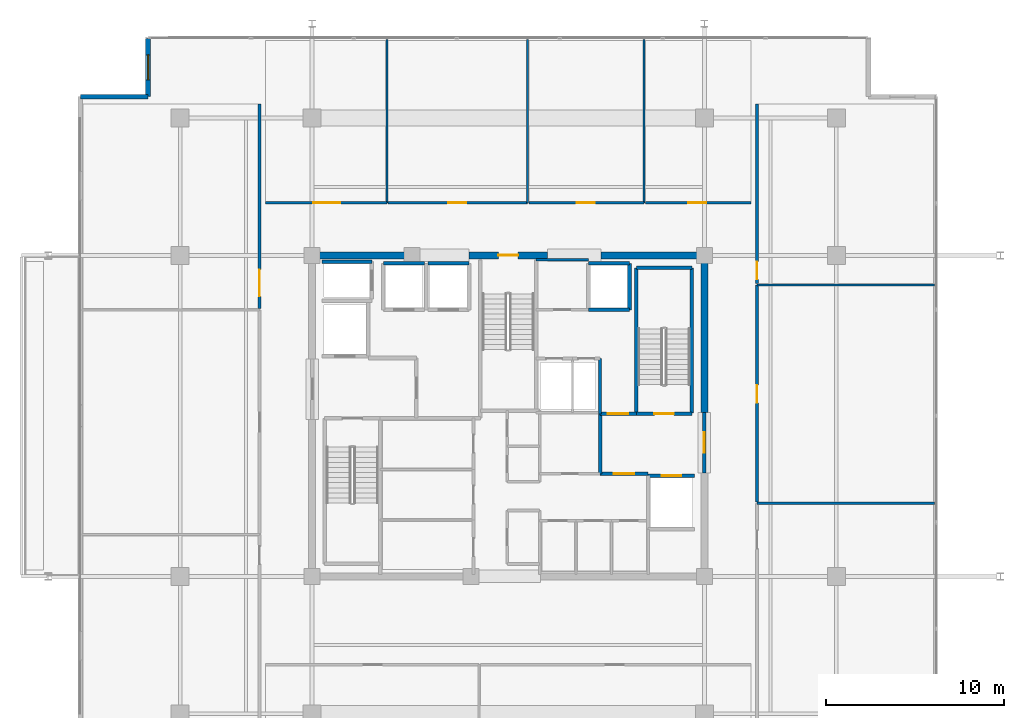
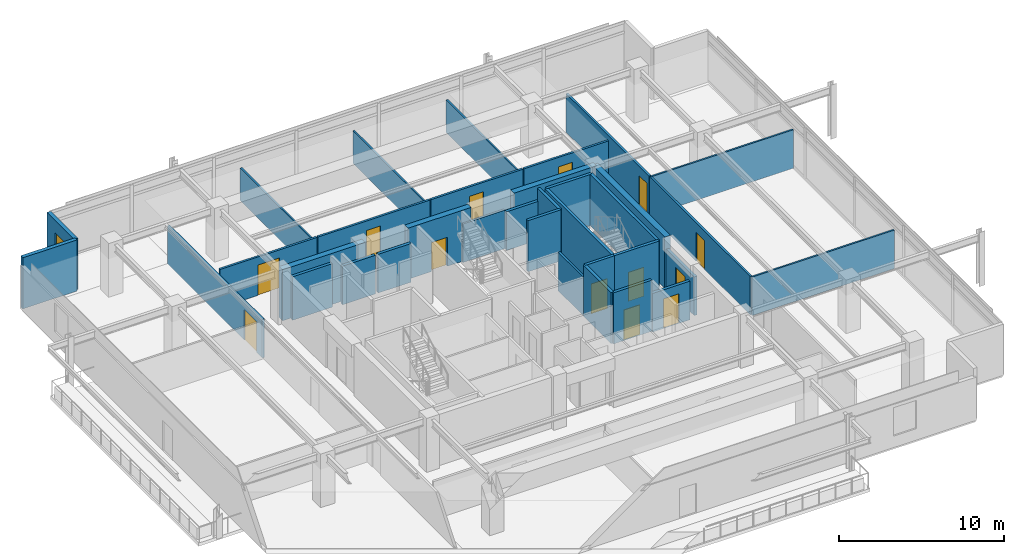
# One storey, part 15 of 20: 35 walls, 13 doors, 1 window, 14 openings.
"""IFC4 building model written with IfcOpenShell, lengths in metres."""

from ifc_helpers import new_model, si_unit, direction, frame, frame_2d, origin, place, context, subcontext, project, spatial, rectangle, extrude, material, layer, layer_set, type_object, element, fill, save


model = new_model("IFC4")

# Units and contexts
model_context = context("Model", 3, precision=1e-05, world=origin(), true_north=direction((0.0, 1.0)))
body_context = subcontext(model_context, "Body", "Model", "MODEL_VIEW")
ifc_project = project(units=[si_unit("LENGTHUNIT", "METRE"), si_unit("AREAUNIT", "SQUARE_METRE"), si_unit("VOLUMEUNIT", "CUBIC_METRE"), si_unit("PLANEANGLEUNIT", "RADIAN"), si_unit("MASSUNIT", "GRAM", prefix="KILO")], contexts=[model_context])

# Site, building, storey
site_placement = place(None, origin())
site = spatial("IfcSite", under=ifc_project, at=site_placement, CompositionType="ELEMENT")
building_placement = place(site_placement, origin())
building = spatial("IfcBuilding", under=site, at=building_placement, Name="Kovane Verandah Tower", CompositionType="ELEMENT")
storey_placement = place(building_placement, frame((0.0, 0.0, 306.800048828125)))
storey = spatial("IfcBuildingStorey", under=building, at=storey_placement, Name="L71", CompositionType="ELEMENT", Elevation=306.800048828125)

# Walls
ifc_material_1 = material(Name="Fire-Rated Gypsum Stud Partition", Category="gypsum")
ifc_layer_1 = layer(ifc_material_1, 0.14990234375)
ifc_layer_set_1 = layer_set([ifc_layer_1], Name="Fire-Rated Gypsum Stud Partition")
wall_type_1 = type_object("IfcWallType", Name="WL-COR-150", PredefinedType="PARTITIONING", material=ifc_layer_set_1)
wall_1_placement = place(storey_placement, frame((45.14990234375, 27.6201171875, 0.0), z_axis=(0.0, 0.0, 1.0), x_axis=(0.0, 1.0, 0.0)))
element("IfcWall", 1, at=wall_1_placement, inside=storey, type_object=wall_type_1, Name="L71 East Core Service Riser East Wall", PredefinedType="PARTITIONING", context=body_context, shape_type="SweptSolid", body=[
    extrude(rectangle(XDim=3.099853515625, YDim=0.14990234375, at=frame_2d((1.5498046875, 0.0))), origin(), (0.0, 0.0, 1.0), 2.849853515625),
])
wall_2_placement = place(storey_placement, frame((41.56005859375, 36.25, 0.0), z_axis=(0.0, 0.0, 1.0), x_axis=(1.0, 0.0, 0.0)))
element("IfcWall", 2, at=wall_2_placement, inside=storey, type_object=wall_type_1, Name="L71 Sky Telecom Riser North Wall", PredefinedType="PARTITIONING", context=body_context, shape_type="SweptSolid", body=[
    extrude(rectangle(XDim=2.93994140625, YDim=0.14990234375, at=frame_2d((1.469970703125, 0.0))), origin(), (0.0, 0.0, 1.0), 2.849853515625),
])

# Wall, opening, door
wall_3_placement = place(storey_placement, frame((26.39990234375, 39.449951171875, 0.0), z_axis=(0.0, 0.0, 1.0), x_axis=(1.0, 0.0, 0.0)))
wall_3 = element("IfcWall", 3, at=wall_3_placement, inside=storey, type_object=wall_type_1, Name="L71 Client Boardroom N1 Corridor Partition", PredefinedType="PARTITIONING", context=body_context, shape_type="SweptSolid", body=[
    extrude(rectangle(XDim=6.800048828125, YDim=0.14990234375, at=frame_2d((3.39990234375, 0.0))), origin(), (0.0, 0.0, 1.0), 2.849853515625),
])
opening_1_placement = place(wall_3_placement, frame((2.6650390625, 0.0, 0.0)))
opening_1 = element("IfcOpeningElement", 4, at=opening_1_placement, cuts=wall_3, Name="Opening DR-L71-024", PredefinedType="OPENING", context=body_context, shape_type="SweptSolid", body=[
    extrude(rectangle(XDim=1.5, YDim=2.25, at=frame_2d((0.75, 1.125))), frame((0.0, 0.074951171875, 0.0), z_axis=(0.0, -1.0, 0.0), x_axis=(1.0, 0.0, 0.0)), (0.0, 0.0, 1.0), 0.14990234375),
])
ifc_material_2 = material(Name="Glazed Timber Fire-Rated Double Door", Category="wood")
door_type_1 = type_object("IfcDoorType", Name="DR-CONF-1500", OperationType="DOUBLE_DOOR_SINGLE_SWING", PredefinedType="DOOR", material=ifc_material_2)
door_1_placement = place(opening_1_placement, origin())
door_1 = element("IfcDoor", 5, at=door_1_placement, inside=storey, type_object=door_type_1, Name="L71 Client Boardroom N1 Entrance Door", OperationType="DOUBLE_DOOR_SINGLE_SWING", OverallHeight=2.25, OverallWidth=1.5, PredefinedType="DOOR", context=body_context, shape_type="SweptSolid", body=[
    extrude(rectangle(XDim=1.5, YDim=2.25, at=frame_2d((0.75, 1.125))), frame((0.0, 0.02490234375, 0.0), z_axis=(0.0, -1.0, 0.0), x_axis=(1.0, 0.0, 0.0)), (0.0, 0.0, 1.0), 0.050048828125),
])
fill(opening_1, door_1)

wall_4_placement = place(storey_placement, frame((33.27001953125, 39.449951171875, 0.0), z_axis=(0.0, 0.0, 1.0), x_axis=(1.0, 0.0, 0.0)))
wall_4 = element("IfcWall", 6, at=wall_4_placement, inside=storey, type_object=wall_type_1, Name="L71 Meeting Room N2 Corridor Partition", PredefinedType="PARTITIONING", context=body_context, shape_type="SweptSolid", body=[
    extrude(rectangle(XDim=7.81787109375, YDim=0.14990234375, at=frame_2d((3.908935546875, 0.0))), origin(), (0.0, 0.0, 1.0), 2.849853515625),
])
opening_2_placement = place(wall_4_placement, frame((3.3740234375, 0.0, 0.0)))
opening_2 = element("IfcOpeningElement", 7, at=opening_2_placement, cuts=wall_4, Name="Opening DR-L71-025", PredefinedType="OPENING", context=body_context, shape_type="SweptSolid", body=[
    extrude(rectangle(XDim=1.0, YDim=2.14990234375, at=frame_2d((0.5, 1.074951171875))), frame((0.0, 0.074951171875, 0.0), z_axis=(0.0, -1.0, 0.0), x_axis=(1.0, 0.0, 0.0)), (0.0, 0.0, 1.0), 0.14990234375),
])
ifc_material_3 = material(Name="FSC Spotted-Gum Timber Fire-Rated Office Door", Category="wood")
door_type_2 = type_object("IfcDoorType", Name="DR-OFF-1000", OperationType="SINGLE_SWING_LEFT", PredefinedType="DOOR", material=ifc_material_3)
door_2_placement = place(opening_2_placement, origin())
door_2 = element("IfcDoor", 8, at=door_2_placement, inside=storey, type_object=door_type_2, Name="L71 Meeting Room N2 Entrance Door", OperationType="SINGLE_SWING_RIGHT", OverallHeight=2.14990234375, OverallWidth=1.0, PredefinedType="DOOR", context=body_context, shape_type="SweptSolid", body=[
    extrude(rectangle(XDim=1.0, YDim=2.14990234375, at=frame_2d((0.5, 1.074951171875))), frame((0.0, 0.02490234375, 0.0), z_axis=(0.0, -1.0, 0.0), x_axis=(1.0, 0.0, 0.0)), (0.0, 0.0, 1.0), 0.050048828125),
])
fill(opening_2, door_2)

wall_5_placement = place(storey_placement, frame((41.157958984375, 39.449951171875, 0.0), z_axis=(0.0, 0.0, 1.0), x_axis=(1.0, 0.0, 0.0)))
wall_5 = element("IfcWall", 9, at=wall_5_placement, inside=storey, type_object=wall_type_1, Name="L71 Focus Studio N3 Corridor Partition", PredefinedType="PARTITIONING", context=body_context, shape_type="SweptSolid", body=[
    extrude(rectangle(XDim=6.4580078125, YDim=0.14990234375, at=frame_2d((3.22900390625, 0.0))), origin(), (0.0, 0.0, 1.0), 2.849853515625),
])
opening_3_placement = place(wall_5_placement, frame((2.694091796875, 0.0, 0.0)))
opening_3 = element("IfcOpeningElement", 10, at=opening_3_placement, cuts=wall_5, Name="Opening DR-L71-026", PredefinedType="OPENING", context=body_context, shape_type="SweptSolid", body=[
    extrude(rectangle(XDim=1.0, YDim=2.14990234375, at=frame_2d((0.5, 1.074951171875))), frame((0.0, 0.074951171875, 0.0), z_axis=(0.0, -1.0, 0.0), x_axis=(1.0, 0.0, 0.0)), (0.0, 0.0, 1.0), 0.14990234375),
])
door_3_placement = place(opening_3_placement, origin())
door_3 = element("IfcDoor", 11, at=door_3_placement, inside=storey, type_object=door_type_2, Name="L71 Focus Studio N3 Entrance Door", OperationType="SINGLE_SWING_LEFT", OverallHeight=2.14990234375, OverallWidth=1.0, PredefinedType="DOOR", context=body_context, shape_type="SweptSolid", body=[
    extrude(rectangle(XDim=1.0, YDim=2.14990234375, at=frame_2d((0.5, 1.074951171875))), frame((0.0, 0.02490234375, 0.0), z_axis=(0.0, -1.0, 0.0), x_axis=(1.0, 0.0, 0.0)), (0.0, 0.0, 1.0), 0.050048828125),
])
fill(opening_3, door_3)

wall_6_placement = place(storey_placement, frame((47.68603515625, 39.449951171875, 0.0), z_axis=(0.0, 0.0, 1.0), x_axis=(1.0, 0.0, 0.0)))
wall_6 = element("IfcWall", 12, at=wall_6_placement, inside=storey, type_object=wall_type_1, Name="L71 Breakout Pantry N4 Corridor Partition", PredefinedType="PARTITIONING", context=body_context, shape_type="SweptSolid", body=[
    extrude(rectangle(XDim=5.9140625, YDim=0.14990234375, at=frame_2d((2.95703125, 0.0))), origin(), (0.0, 0.0, 1.0), 2.849853515625),
])
opening_4_placement = place(wall_6_placement, frame((2.406982421875, 0.0, 0.0)))
opening_4 = element("IfcOpeningElement", 13, at=opening_4_placement, cuts=wall_6, Name="Opening DR-L71-027", PredefinedType="OPENING", context=body_context, shape_type="SweptSolid", body=[
    extrude(rectangle(XDim=1.0, YDim=2.14990234375, at=frame_2d((0.5, 1.074951171875))), frame((0.0, 0.074951171875, 0.0), z_axis=(0.0, -1.0, 0.0), x_axis=(1.0, 0.0, 0.0)), (0.0, 0.0, 1.0), 0.14990234375),
])
door_4_placement = place(opening_4_placement, origin())
door_4 = element("IfcDoor", 14, at=door_4_placement, inside=storey, type_object=door_type_2, Name="L71 Breakout Pantry N4 Entrance Door", OperationType="SINGLE_SWING_RIGHT", OverallHeight=2.14990234375, OverallWidth=1.0, PredefinedType="DOOR", context=body_context, shape_type="SweptSolid", body=[
    extrude(rectangle(XDim=1.0, YDim=2.14990234375, at=frame_2d((0.5, 1.074951171875))), frame((0.0, 0.02490234375, 0.0), z_axis=(0.0, -1.0, 0.0), x_axis=(1.0, 0.0, 0.0)), (0.0, 0.0, 1.0), 0.050048828125),
])
fill(opening_4, door_4)

wall_7_placement = place(storey_placement, frame((26.050048828125, 33.52001953125, 0.0), z_axis=(0.0, 0.0, 1.0), x_axis=(0.0, 1.0, 0.0)))
wall_7 = element("IfcWall", 15, at=wall_7_placement, inside=storey, type_object=wall_type_1, Name="L71 Client Boardroom W3 Corridor Partition", PredefinedType="PARTITIONING", context=body_context, shape_type="SweptSolid", body=[
    extrude(rectangle(XDim=11.47998046875, YDim=0.14990234375, at=frame_2d((5.739990234375, 0.0))), origin(), (0.0, 0.0, 1.0), 2.849853515625),
])
opening_5_placement = place(wall_7_placement, frame((0.68994140625, 0.0, 0.0)))
opening_5 = element("IfcOpeningElement", 16, at=opening_5_placement, cuts=wall_7, Name="Opening DR-L71-035", PredefinedType="OPENING", context=body_context, shape_type="SweptSolid", body=[
    extrude(rectangle(XDim=1.5, YDim=2.25, at=frame_2d((0.75, 1.125))), frame((0.0, 0.074951171875, 0.0), z_axis=(0.0, -1.0, 0.0), x_axis=(1.0, 0.0, 0.0)), (0.0, 0.0, 1.0), 0.14990234375),
])
door_5_placement = place(opening_5_placement, origin())
door_5 = element("IfcDoor", 17, at=door_5_placement, inside=storey, type_object=door_type_1, Name="L71 Client Boardroom W3 Entrance Door", OperationType="DOUBLE_DOOR_SINGLE_SWING", OverallHeight=2.25, OverallWidth=1.5, PredefinedType="DOOR", context=body_context, shape_type="SweptSolid", body=[
    extrude(rectangle(XDim=1.5, YDim=2.25, at=frame_2d((0.75, 1.125))), frame((0.0, 0.02490234375, 0.0), z_axis=(0.0, -1.0, 0.0), x_axis=(1.0, 0.0, 0.0)), (0.0, 0.0, 1.0), 0.050048828125),
])
fill(opening_5, door_5)

wall_8_placement = place(storey_placement, frame((53.949951171875, 22.669921875, 0.0), z_axis=(0.0, 0.0, 1.0), x_axis=(0.0, 1.0, 0.0)))
wall_8 = element("IfcWall", 18, at=wall_8_placement, inside=storey, type_object=wall_type_1, Name="L71 Focus Studio E2 Corridor Partition", PredefinedType="PARTITIONING", context=body_context, shape_type="SweptSolid", body=[
    extrude(rectangle(XDim=12.18017578125, YDim=0.14990234375, at=frame_2d((6.090087890625, 0.0))), origin(), (0.0, 0.0, 1.0), 2.849853515625),
])
opening_6_placement = place(wall_8_placement, frame((5.554931640625, 0.0, 0.0)))
opening_6 = element("IfcOpeningElement", 19, at=opening_6_placement, cuts=wall_8, Name="Opening DR-L71-012", PredefinedType="OPENING", context=body_context, shape_type="SweptSolid", body=[
    extrude(rectangle(XDim=1.0, YDim=2.14990234375, at=frame_2d((0.5, 1.074951171875))), frame((0.0, 0.074951171875, 0.0), z_axis=(0.0, -1.0, 0.0), x_axis=(1.0, 0.0, 0.0)), (0.0, 0.0, 1.0), 0.14990234375),
])
door_6_placement = place(opening_6_placement, origin())
door_6 = element("IfcDoor", 20, at=door_6_placement, inside=storey, type_object=door_type_2, Name="L71 Focus Studio E2 Entrance Door", OperationType="SINGLE_SWING_LEFT", OverallHeight=2.14990234375, OverallWidth=1.0, PredefinedType="DOOR", context=body_context, shape_type="SweptSolid", body=[
    extrude(rectangle(XDim=1.0, YDim=2.14990234375, at=frame_2d((0.5, 1.074951171875))), frame((0.0, 0.02490234375, 0.0), z_axis=(0.0, -1.0, 0.0), x_axis=(1.0, 0.0, 0.0)), (0.0, 0.0, 1.0), 0.050048828125),
])
fill(opening_6, door_6)

wall_9_placement = place(storey_placement, frame((53.949951171875, 34.919921875, 0.0), z_axis=(0.0, 0.0, 1.0), x_axis=(0.0, 1.0, 0.0)))
wall_9 = element("IfcWall", 21, at=wall_9_placement, inside=storey, type_object=wall_type_1, Name="L71 Breakout Pantry E3 Corridor Partition", PredefinedType="PARTITIONING", context=body_context, shape_type="SweptSolid", body=[
    extrude(rectangle(XDim=10.080078125, YDim=0.14990234375, at=frame_2d((5.0400390625, 0.0))), origin(), (0.0, 0.0, 1.0), 2.849853515625),
])
opening_7_placement = place(wall_9_placement, frame((0.239990234375, 0.0, 0.0)))
opening_7 = element("IfcOpeningElement", 22, at=opening_7_placement, cuts=wall_9, Name="Opening DR-L71-013", PredefinedType="OPENING", context=body_context, shape_type="SweptSolid", body=[
    extrude(rectangle(XDim=1.0, YDim=2.14990234375, at=frame_2d((0.5, 1.074951171875))), frame((0.0, 0.074951171875, 0.0), z_axis=(0.0, -1.0, 0.0), x_axis=(1.0, 0.0, 0.0)), (0.0, 0.0, 1.0), 0.14990234375),
])
door_7_placement = place(opening_7_placement, origin())
door_7 = element("IfcDoor", 23, at=door_7_placement, inside=storey, type_object=door_type_2, Name="L71 Breakout Pantry E3 Entrance Door", OperationType="SINGLE_SWING_RIGHT", OverallHeight=2.14990234375, OverallWidth=1.0, PredefinedType="DOOR", context=body_context, shape_type="SweptSolid", body=[
    extrude(rectangle(XDim=1.0, YDim=2.14990234375, at=frame_2d((0.5, 1.074951171875))), frame((0.0, 0.02490234375, 0.0), z_axis=(0.0, -1.0, 0.0), x_axis=(1.0, 0.0, 0.0)), (0.0, 0.0, 1.0), 0.050048828125),
])
fill(opening_7, door_7)

# Wall
ifc_material_4 = material(Name="Concrete C60/75", Category="concrete")
ifc_layer_2 = layer(ifc_material_4, 0.39990234375)
ifc_layer_set_2 = layer_set([ifc_layer_2], Name="Concrete C60/75")
wall_type_2 = type_object("IfcWallType", Name="WL-CORE-400", PredefinedType="SHEAR", material=ifc_layer_set_2)
wall_10_placement = place(storey_placement, frame((29.0, 36.5, 0.0), z_axis=(0.0, 0.0, 1.0), x_axis=(1.0, 0.0, 0.0)))
element("IfcWall", 24, at=wall_10_placement, inside=storey, type_object=wall_type_2, Name="L71 Core Shear Wall CN-1", PredefinedType="SHEAR", context=body_context, shape_type="SweptSolid", body=[
    extrude(rectangle(XDim=5.800048828125, YDim=0.39990234375, at=frame_2d((2.89990234375, 0.0))), origin(), (0.0, 0.0, 1.0), 3.784912109375),
])

# Wall, opening, door
wall_11_placement = place(storey_placement, frame((37.800048828125, 36.5, 0.0), z_axis=(0.0, 0.0, 1.0), x_axis=(1.0, 0.0, 0.0)))
wall_11 = element("IfcWall", 25, at=wall_11_placement, inside=storey, type_object=wall_type_2, Name="L71 Core Shear Wall CN-2", PredefinedType="SHEAR", context=body_context, shape_type="SweptSolid", body=[
    extrude(rectangle(XDim=4.39990234375, YDim=0.39990234375, at=frame_2d((2.199951171875, 0.0))), origin(), (0.0, 0.0, 1.0), 3.784912109375),
])
opening_8_placement = place(wall_11_placement, frame((1.64990234375, 0.0, 0.0)))
opening_8 = element("IfcOpeningElement", 26, at=opening_8_placement, cuts=wall_11, Name="Opening DR-L71-010", PredefinedType="OPENING", context=body_context, shape_type="SweptSolid", body=[
    extrude(rectangle(XDim=1.10009765625, YDim=2.14990234375, at=frame_2d((0.550048828125, 1.074951171875))), frame((0.0, 0.199951171875, 0.0), z_axis=(0.0, -1.0, 0.0), x_axis=(1.0, 0.0, 0.0)), (0.0, 0.0, 1.0), 0.39990234375),
])
ifc_material_5 = material(Name="Fire-Rated Steel Exit Door", Category="steel")
door_type_3 = type_object("IfcDoorType", Name="DR-STAIR-1100", OperationType="SINGLE_SWING_LEFT", PredefinedType="DOOR", material=ifc_material_5)
door_8_placement = place(opening_8_placement, origin())
door_8 = element("IfcDoor", 27, at=door_8_placement, inside=storey, type_object=door_type_3, Name="L71 ST-03 Fire Exit Stair Door", OperationType="SINGLE_SWING_LEFT", OverallHeight=2.14990234375, OverallWidth=1.10009765625, PredefinedType="DOOR", context=body_context, shape_type="SweptSolid", body=[
    extrude(rectangle(XDim=1.10009765625, YDim=2.14990234375, at=frame_2d((0.550048828125, 1.074951171875))), frame((0.0, 0.02490234375, 0.0), z_axis=(0.0, -1.0, 0.0), x_axis=(1.0, 0.0, 0.0)), (0.0, 0.0, 1.0), 0.050048828125),
])
fill(opening_8, door_8)

# Walls
wall_12_placement = place(storey_placement, frame((45.199951171875, 36.5, 0.0), z_axis=(0.0, 0.0, 1.0), x_axis=(1.0, 0.0, 0.0)))
element("IfcWall", 28, at=wall_12_placement, inside=storey, type_object=wall_type_2, Name="L71 Core Shear Wall CN-3", PredefinedType="SHEAR", context=body_context, shape_type="SweptSolid", body=[
    extrude(rectangle(XDim=5.800048828125, YDim=0.39990234375, at=frame_2d((2.89990234375, 0.0))), origin(), (0.0, 0.0, 1.0), 3.784912109375),
])
wall_13_placement = place(storey_placement, frame((51.0, 27.699951171875, 0.0), z_axis=(0.0, 0.0, 1.0), x_axis=(0.0, 1.0, 0.0)))
element("IfcWall", 29, at=wall_13_placement, inside=storey, type_object=wall_type_2, Name="L71 Core Shear Wall CE-2", PredefinedType="SHEAR", context=body_context, shape_type="SweptSolid", body=[
    extrude(rectangle(XDim=8.800048828125, YDim=0.39990234375, at=frame_2d((4.39990234375, 0.0))), origin(), (0.0, 0.0, 1.0), 3.784912109375),
])
ifc_material_6 = material(Name="Concrete C45/55 Fire Wall", Category="concrete")
ifc_layer_3 = layer(ifc_material_6, 0.199951171875)
ifc_layer_set_3 = layer_set([ifc_layer_3], Name="Concrete C45/55 Fire Wall")
wall_type_3 = type_object("IfcWallType", Name="WL-FFL-200", PredefinedType="PARTITIONING", material=ifc_layer_set_3)
wall_14_placement = place(storey_placement, frame((45.14990234375, 24.25, 0.0), z_axis=(0.0, 0.0, 1.0), x_axis=(0.0, 1.0, 0.0)))
element("IfcWall", 30, at=wall_14_placement, inside=storey, type_object=wall_type_3, Name="L71 East Firefighting Lobby West Fire Wall", PredefinedType="PARTITIONING", context=body_context, shape_type="SweptSolid", body=[
    extrude(rectangle(XDim=3.3701171875, YDim=0.199951171875, at=frame_2d((1.68505859375, 0.0))), origin(), (0.0, 0.0, 1.0), 3.784912109375),
])

# Wall, opening, door
wall_15_placement = place(storey_placement, frame((45.14990234375, 24.25, 0.0), z_axis=(0.0, 0.0, 1.0), x_axis=(1.0, 0.0, 0.0)))
wall_15 = element("IfcWall", 31, at=wall_15_placement, inside=storey, type_object=wall_type_3, Name="W-L71-FFLE-S", PredefinedType="PARTITIONING", context=body_context, shape_type="SweptSolid", body=[
    extrude(rectangle(XDim=2.7001953125, YDim=0.199951171875, at=frame_2d((1.35009765625, 0.0))), origin(), (0.0, 0.0, 1.0), 3.784912109375),
])
opening_9_placement = place(wall_15_placement, frame((0.77490234375, 0.0, 0.0)))
opening_9 = element("IfcOpeningElement", 32, at=opening_9_placement, cuts=wall_15, Name="Opening DR-L71-003", PredefinedType="OPENING", context=body_context, shape_type="SweptSolid", body=[
    extrude(rectangle(XDim=1.14990234375, YDim=2.199951171875, at=frame_2d((0.574951171875, 1.10009765625))), frame((0.0, 0.10009765625, 0.0), z_axis=(0.0, -1.0, 0.0), x_axis=(1.0, 0.0, 0.0)), (0.0, 0.0, 1.0), 0.199951171875),
])
ifc_material_7 = material(Name="Smoke-Sealed Firefighting Lobby Door", Category="steel")
door_type_4 = type_object("IfcDoorType", Name="DR-FFL-1150", OperationType="SINGLE_SWING_LEFT", PredefinedType="DOOR", material=ifc_material_7)
door_9_placement = place(opening_9_placement, origin())
door_9 = element("IfcDoor", 33, at=door_9_placement, inside=storey, type_object=door_type_4, Name="L71 East Firefighting Lobby Inner Door", OperationType="SINGLE_SWING_RIGHT", OverallHeight=2.199951171875, OverallWidth=1.14990234375, PredefinedType="DOOR", context=body_context, shape_type="SweptSolid", body=[
    extrude(rectangle(XDim=1.14990234375, YDim=2.199951171875, at=frame_2d((0.574951171875, 1.10009765625))), frame((0.0, 0.02490234375, 0.0), z_axis=(0.0, -1.0, 0.0), x_axis=(1.0, 0.0, 0.0)), (0.0, 0.0, 1.0), 0.050048828125),
])
fill(opening_9, door_9)

wall_16_placement = place(storey_placement, frame((45.14990234375, 27.6201171875, 0.0), z_axis=(0.0, 0.0, 1.0), x_axis=(1.0, 0.0, 0.0)))
wall_16 = element("IfcWall", 34, at=wall_16_placement, inside=storey, type_object=wall_type_3, Name="W-L71-FFLE-N", PredefinedType="PARTITIONING", context=body_context, shape_type="SweptSolid", body=[
    extrude(rectangle(XDim=2.030029296875, YDim=0.199951171875, at=frame_2d((1.01513671875, 0.0))), origin(), (0.0, 0.0, 1.0), 3.784912109375),
])
opening_10_placement = place(wall_16_placement, frame((0.43994140625, 0.0, 0.0)))
opening_10 = element("IfcOpeningElement", 35, at=opening_10_placement, cuts=wall_16, Name="Opening DR-L71-004", PredefinedType="OPENING", context=body_context, shape_type="SweptSolid", body=[
    extrude(rectangle(XDim=1.14990234375, YDim=2.199951171875, at=frame_2d((0.574951171875, 1.10009765625))), frame((0.0, 0.10009765625, 0.0), z_axis=(0.0, -1.0, 0.0), x_axis=(1.0, 0.0, 0.0)), (0.0, 0.0, 1.0), 0.199951171875),
])
door_10_placement = place(opening_10_placement, origin())
door_10 = element("IfcDoor", 36, at=door_10_placement, inside=storey, type_object=door_type_4, Name="L71 East Firefighting Lobby Shuttle Link Door", OperationType="SINGLE_SWING_LEFT", OverallHeight=2.199951171875, OverallWidth=1.14990234375, PredefinedType="DOOR", context=body_context, shape_type="SweptSolid", body=[
    extrude(rectangle(XDim=1.14990234375, YDim=2.199951171875, at=frame_2d((0.574951171875, 1.10009765625))), frame((0.0, 0.02490234375, 0.0), z_axis=(0.0, -1.0, 0.0), x_axis=(1.0, 0.0, 0.0)), (0.0, 0.0, 1.0), 0.050048828125),
])
fill(opening_10, door_10)

wall_17_placement = place(storey_placement, frame((51.0, 24.300048828125, 0.0), z_axis=(0.0, 0.0, 1.0), x_axis=(0.0, 1.0, 0.0)))
wall_17 = element("IfcWall", 37, at=wall_17_placement, inside=storey, type_object=wall_type_3, Name="W-L71-FFLE-OUT", PredefinedType="PARTITIONING", context=body_context, shape_type="SweptSolid", body=[
    extrude(rectangle(XDim=3.39990234375, YDim=0.199951171875, at=frame_2d((1.699951171875, 0.0))), origin(), (0.0, 0.0, 1.0), 2.864990234375),
])
opening_11_placement = place(wall_17_placement, frame((1.125, 0.0, 0.0)))
opening_11 = element("IfcOpeningElement", 38, at=opening_11_placement, cuts=wall_17, Name="Opening DR-L71-005", PredefinedType="OPENING", context=body_context, shape_type="SweptSolid", body=[
    extrude(rectangle(XDim=1.14990234375, YDim=2.199951171875, at=frame_2d((0.574951171875, 1.10009765625))), frame((0.0, 0.10009765625, 0.0), z_axis=(0.0, -1.0, 0.0), x_axis=(1.0, 0.0, 0.0)), (0.0, 0.0, 1.0), 0.199951171875),
])
door_11_placement = place(opening_11_placement, origin())
door_11 = element("IfcDoor", 39, at=door_11_placement, inside=storey, type_object=door_type_4, Name="L71 East Firefighting Lobby Corridor Door", OperationType="SINGLE_SWING_LEFT", OverallHeight=2.199951171875, OverallWidth=1.14990234375, PredefinedType="DOOR", context=body_context, shape_type="SweptSolid", body=[
    extrude(rectangle(XDim=1.14990234375, YDim=2.199951171875, at=frame_2d((0.574951171875, 1.10009765625))), frame((0.0, 0.02490234375, 0.0), z_axis=(0.0, -1.0, 0.0), x_axis=(1.0, 0.0, 0.0)), (0.0, 0.0, 1.0), 0.050048828125),
])
fill(opening_11, door_11)

ifc_material_8 = material(Name="Concrete C45/55 Lift Shaft Wall", Category="concrete")
ifc_layer_4 = layer(ifc_material_8, 0.199951171875)
ifc_layer_set_4 = layer_set([ifc_layer_4], Name="Concrete C45/55 Lift Shaft Wall")
wall_type_4 = type_object("IfcWallType", Name="WL-LIFT-200", PredefinedType="SOLIDWALL", material=ifc_layer_set_4)
wall_18_placement = place(storey_placement, frame((50.449951171875, 24.14990234375, 0.0), z_axis=(0.0, 0.0, 1.0), x_axis=(-1.0, 0.0, 0.0)))
wall_18 = element("IfcWall", 40, at=wall_18_placement, inside=storey, type_object=wall_type_4, Name="L71 Lift FL-02 N Shaft Wall", PredefinedType="SOLIDWALL", context=body_context, shape_type="SweptSolid", body=[
    extrude(rectangle(XDim=2.599853515625, YDim=0.199951171875, at=frame_2d((1.2998046875, 0.0))), origin(), (0.0, 0.0, 1.0), 2.864990234375),
])
opening_12_placement = place(wall_18_placement, frame((0.75, 0.0, 0.0)))
opening_12 = element("IfcOpeningElement", 41, at=opening_12_placement, cuts=wall_18, Name="Opening LD-L71-002", PredefinedType="OPENING", context=body_context, shape_type="SweptSolid", body=[
    extrude(rectangle(XDim=1.10009765625, YDim=2.199951171875, at=frame_2d((0.550048828125, 1.10009765625))), frame((0.0, 0.10009765625, 0.0), z_axis=(0.0, -1.0, 0.0), x_axis=(1.0, 0.0, 0.0)), (0.0, 0.0, 1.0), 0.199951171875),
])
ifc_material_9 = material(Name="Brushed Stainless Steel Sliding Lift Landing Door", Category="steel")
door_type_5 = type_object("IfcDoorType", Name="DR-LIFT-1100", OperationType="SLIDING_TO_RIGHT", PredefinedType="DOOR", material=ifc_material_9)
door_12_placement = place(opening_12_placement, origin())
door_12 = element("IfcDoor", 42, at=door_12_placement, inside=storey, type_object=door_type_5, Name="L71 Lift FL-02 Sliding Landing Door", OperationType="SLIDING_TO_RIGHT", OverallHeight=2.199951171875, OverallWidth=1.10009765625, PredefinedType="DOOR", context=body_context, shape_type="SweptSolid", body=[
    extrude(rectangle(XDim=1.10009765625, YDim=2.199951171875, at=frame_2d((0.550048828125, 1.10009765625))), frame((0.0, 0.02490234375, 0.0), z_axis=(0.0, -1.0, 0.0), x_axis=(1.0, 0.0, 0.0)), (0.0, 0.0, 1.0), 0.050048828125),
])
fill(opening_12, door_12)

# Walls
wall_19_placement = place(storey_placement, frame((32.35009765625, 36.14990234375, 0.0), z_axis=(0.0, 0.0, 1.0), x_axis=(-1.0, 0.0, 0.0)))
element("IfcWall", 43, at=wall_19_placement, inside=storey, type_object=wall_type_4, Name="L71 Lift GL-01 N Shaft Wall", PredefinedType="SOLIDWALL", context=body_context, shape_type="SweptSolid", body=[
    extrude(rectangle(XDim=2.800048828125, YDim=0.199951171875, at=frame_2d((1.39990234375, 0.0))), origin(), (0.0, 0.0, 1.0), 3.220458984375),
])
for number, where, z_axis, x_axis, name in (
    (44, (35.300048828125, 36.050048828125, 0.0), (0.0, 0.0, 1.0), (-1.0, 0.0, 0.0), "L71 Lift PL-H1 N Shaft Wall"),
    (45, (37.800048828125, 36.050048828125, 0.0), (0.0, 0.0, 1.0), (-1.0, 0.0, 0.0), "L71 Lift PL-H2 N Shaft Wall"),
):
    element("IfcWall", number, at=place(storey_placement, frame(where, z_axis=z_axis, x_axis=x_axis)), inside=storey, type_object=wall_type_4, Name=name, PredefinedType="SOLIDWALL", context=body_context, shape_type="SweptSolid", body=[
        extrude(rectangle(XDim=2.300048828125, YDim=0.199951171875, at=frame_2d((1.14990234375, 0.0))), origin(), (0.0, 0.0, 1.0), 2.864990234375),
    ])
wall_20_placement = place(storey_placement, frame((44.5, 33.449951171875, 0.0), z_axis=(0.0, 0.0, 1.0), x_axis=(1.0, 0.0, 0.0)))
element("IfcWall", 46, at=wall_20_placement, inside=storey, type_object=wall_type_4, Name="L71 Lift OL-01 S Shaft Wall", PredefinedType="SOLIDWALL", context=body_context, shape_type="SweptSolid", body=[
    extrude(rectangle(XDim=2.300048828125, YDim=0.199951171875, at=frame_2d((1.14990234375, 0.0))), origin(), (0.0, 0.0, 1.0), 3.784912109375),
])
wall_21_placement = place(storey_placement, frame((46.800048828125, 36.050048828125, 0.0), z_axis=(0.0, 0.0, 1.0), x_axis=(-1.0, 0.0, 0.0)))
element("IfcWall", 47, at=wall_21_placement, inside=storey, type_object=wall_type_4, Name="L71 Lift OL-01 N Shaft Wall", PredefinedType="SOLIDWALL", context=body_context, shape_type="SweptSolid", body=[
    extrude(rectangle(XDim=2.300048828125, YDim=0.199951171875, at=frame_2d((1.14990234375, 0.0))), origin(), (0.0, 0.0, 1.0), 2.864990234375),
])
wall_22_placement = place(storey_placement, frame((46.800048828125, 33.449951171875, 0.0), z_axis=(0.0, 0.0, 1.0), x_axis=(0.0, 1.0, 0.0)))
element("IfcWall", 48, at=wall_22_placement, inside=storey, type_object=wall_type_4, Name="L71 Lift OL-01 E Shaft Wall", PredefinedType="SOLIDWALL", context=body_context, shape_type="SweptSolid", body=[
    extrude(rectangle(XDim=2.60009765625, YDim=0.199951171875, at=frame_2d((1.300048828125, 0.0))), origin(), (0.0, 0.0, 1.0), 3.784912109375),
])
ifc_material_10 = material(Name="Acoustic Fire-Rated Gypsum Partition", Category="gypsum")
ifc_layer_5 = layer(ifc_material_10, 0.1201171875)
ifc_layer_set_5 = layer_set([ifc_layer_5], Name="Acoustic Fire-Rated Gypsum Partition")
wall_type_5 = type_object("IfcWallType", Name="WL-PART-120", PredefinedType="PARTITIONING", material=ifc_layer_set_5)
for number, where, z_axis, x_axis, name in (
    (49, (33.199951171875, 39.449951171875, 0.0), (0.0, 0.0, 1.0), (0.0, 1.0, 0.0), "L71 Client Boardroom N1 Dividing Partition"),
    (50, (41.087890625, 39.449951171875, 0.0), (0.0, 0.0, 1.0), (0.0, 1.0, 0.0), "L71 Meeting Room N2 Dividing Partition"),
    (51, (47.615966796875, 39.449951171875, 0.0), (0.0, 0.0, 1.0), (0.0, 1.0, 0.0), "L71 Focus Studio N3 Dividing Partition"),
):
    element("IfcWall", number, at=place(storey_placement, frame(where, z_axis=z_axis, x_axis=x_axis)), inside=storey, type_object=wall_type_5, Name=name, PredefinedType="PARTITIONING", context=body_context, shape_type="SweptSolid", body=[
        extrude(rectangle(XDim=9.150146484375, YDim=0.1201171875, at=frame_2d((4.5751953125, 0.0))), origin(), (0.0, 0.0, 1.0), 2.4150390625),
    ])
for number, where, z_axis, x_axis, name in (
    (52, (53.949951171875, 22.60009765625, 0.0), (0.0, 0.0, 1.0), (1.0, 0.0, 0.0), "L71 Meeting Room E1 Dividing Partition"),
    (53, (53.949951171875, 34.85009765625, 0.0), (0.0, 0.0, 1.0), (1.0, 0.0, 0.0), "L71 Focus Studio E2 Dividing Partition"),
):
    element("IfcWall", number, at=place(storey_placement, frame(where, z_axis=z_axis, x_axis=x_axis)), inside=storey, type_object=wall_type_5, Name=name, PredefinedType="PARTITIONING", context=body_context, shape_type="SweptSolid", body=[
        extrude(rectangle(XDim=9.949951171875, YDim=0.1201171875, at=frame_2d((4.97509765625, 0.0))), origin(), (0.0, 0.0, 1.0), 2.849853515625),
    ])
ifc_material_11 = material(Name="Concrete C45/55", Category="concrete")
ifc_layer_6 = layer(ifc_material_11, 0.199951171875)
ifc_layer_set_6 = layer_set([ifc_layer_6], Name="Concrete C45/55")
wall_type_6 = type_object("IfcWallType", Name="WL-SHAFT-200", PredefinedType="SOLIDWALL", material=ifc_layer_set_6)
wall_23_placement = place(storey_placement, frame((50.300048828125, 27.64990234375, 0.0), z_axis=(0.0, 0.0, 1.0), x_axis=(0.0, 1.0, 0.0)))
element("IfcWall", 54, at=wall_23_placement, inside=storey, type_object=wall_type_6, Name="W-L71-ST02-E", PredefinedType="SOLIDWALL", context=body_context, shape_type="SweptSolid", body=[
    extrude(rectangle(XDim=8.150146484375, YDim=0.199951171875, at=frame_2d((4.0751953125, 0.0))), origin(), (0.0, 0.0, 1.0), 3.784912109375),
])
wall_24_placement = place(storey_placement, frame((47.179931640625, 35.800048828125, 0.0), z_axis=(0.0, 0.0, 1.0), x_axis=(1.0, 0.0, 0.0)))
element("IfcWall", 55, at=wall_24_placement, inside=storey, type_object=wall_type_6, Name="W-L71-ST02-N", PredefinedType="SOLIDWALL", context=body_context, shape_type="SweptSolid", body=[
    extrude(rectangle(XDim=3.1201171875, YDim=0.199951171875, at=frame_2d((1.56005859375, 0.0))), origin(), (0.0, 0.0, 1.0), 3.784912109375),
])
wall_25_placement = place(storey_placement, frame((47.179931640625, 27.6201171875, 0.0), z_axis=(0.0, 0.0, 1.0), x_axis=(0.0, 1.0, 0.0)))
element("IfcWall", 56, at=wall_25_placement, inside=storey, type_object=wall_type_6, Name="W-L71-ST02-W", PredefinedType="SOLIDWALL", context=body_context, shape_type="SweptSolid", body=[
    extrude(rectangle(XDim=8.179931640625, YDim=0.199951171875, at=frame_2d((4.08984375, 0.0))), origin(), (0.0, 0.0, 1.0), 3.784912109375),
])

# Wall, opening, door
wall_26_placement = place(storey_placement, frame((47.179931640625, 27.6201171875, 0.0), z_axis=(0.0, 0.0, 1.0), x_axis=(1.0, 0.0, 0.0)))
wall_26 = element("IfcWall", 57, at=wall_26_placement, inside=storey, type_object=wall_type_6, Name="W-L71-ST02-S", PredefinedType="SOLIDWALL", context=body_context, shape_type="SweptSolid", body=[
    extrude(rectangle(XDim=3.1201171875, YDim=0.199951171875, at=frame_2d((1.56005859375, 0.0))), origin(), (0.0, 0.0, 1.0), 3.784912109375),
])
opening_13_placement = place(wall_26_placement, frame((1.010009765625, 0.0, 0.0)))
opening_13 = element("IfcOpeningElement", 58, at=opening_13_placement, cuts=wall_26, Name="Opening DR-L71-009", PredefinedType="OPENING", context=body_context, shape_type="SweptSolid", body=[
    extrude(rectangle(XDim=1.10009765625, YDim=2.14990234375, at=frame_2d((0.550048828125, 1.074951171875))), frame((0.0, 0.10009765625, 0.0), z_axis=(0.0, -1.0, 0.0), x_axis=(1.0, 0.0, 0.0)), (0.0, 0.0, 1.0), 0.199951171875),
])
door_13_placement = place(opening_13_placement, origin())
door_13 = element("IfcDoor", 59, at=door_13_placement, inside=storey, type_object=door_type_3, Name="L71 ST-02 Fire Exit Stair Door", OperationType="SINGLE_SWING_RIGHT", OverallHeight=2.14990234375, OverallWidth=1.10009765625, PredefinedType="DOOR", context=body_context, shape_type="SweptSolid", body=[
    extrude(rectangle(XDim=1.10009765625, YDim=2.14990234375, at=frame_2d((0.550048828125, 1.074951171875))), frame((0.0, 0.02490234375, 0.0), z_axis=(0.0, -1.0, 0.0), x_axis=(1.0, 0.0, 0.0)), (0.0, 0.0, 1.0), 0.050048828125),
])
fill(opening_13, door_13)

# Wall, opening, window
ifc_material_12 = material(Name="Concrete C45/55 Insulated Spandrel Wall", Category="concrete")
ifc_layer_7 = layer(ifc_material_12, 0.260009765625)
ifc_layer_set_7 = layer_set([ifc_layer_7], Name="Concrete C45/55 Insulated Spandrel Wall")
wall_type_7 = type_object("IfcWallType", Name="WL-SPANDREL-260", PredefinedType="PARAPET", material=ifc_layer_set_7)
wall_27_placement = place(storey_placement, frame((19.800048828125, 48.699951171875, 0.0), z_axis=(0.0, 0.0, 1.0), x_axis=(0.0, -1.0, 0.0)))
wall_27 = element("IfcWall", 60, at=wall_27_placement, inside=storey, type_object=wall_type_7, Name="L71 NW Notch Cheek Wall 1", PredefinedType="PARAPET", context=body_context, shape_type="SweptSolid", body=[
    extrude(rectangle(XDim=3.300048828125, YDim=0.260009765625, at=frame_2d((1.64990234375, 0.0))), origin(), (0.0, 0.0, 1.0), 3.784912109375),
])
opening_14_placement = place(wall_27_placement, frame((0.949951171875, 0.0, 0.85009765625)))
opening_14 = element("IfcOpeningElement", 61, at=opening_14_placement, cuts=wall_27, Name="Opening W-01", PredefinedType="OPENING", context=body_context, shape_type="SweptSolid", body=[
    extrude(rectangle(XDim=1.39990234375, YDim=2.0, at=frame_2d((0.699951171875, 1.0))), frame((0.0, 0.1298828125, 0.0), z_axis=(0.0, -1.0, 0.0), x_axis=(1.0, 0.0, 0.0)), (0.0, 0.0, 1.0), 0.260009765625),
])
ifc_material_13 = material(Name="Clear Low-E Laminated Double Glazing in Anodised Frame", Category="glass")
window_type = type_object("IfcWindowType", Name="WN-OPER-1400x2000", PartitioningType="SINGLE_PANEL", PredefinedType="WINDOW", material=ifc_material_13)
window_placement = place(opening_14_placement, origin())
window = element("IfcWindow", 62, at=window_placement, inside=storey, type_object=window_type, Name="L71 NW Re-Entrant Corner Operable Window", OverallHeight=2.0, OverallWidth=1.39990234375, PartitioningType="SINGLE_PANEL", PredefinedType="WINDOW", context=body_context, shape_type="SweptSolid", body=[
    extrude(rectangle(XDim=1.39990234375, YDim=2.0, at=frame_2d((0.699951171875, 1.0))), frame((0.0, 0.030029296875, 0.0), z_axis=(0.0, -1.0, 0.0), x_axis=(1.0, 0.0, 0.0)), (0.0, 0.0, 1.0), 0.06005859375),
])
fill(opening_14, window)

# Wall
wall_28_placement = place(storey_placement, frame((19.800048828125, 45.39990234375, 0.0), z_axis=(0.0, 0.0, 1.0), x_axis=(-1.0, 0.0, 0.0)))
element("IfcWall", 63, at=wall_28_placement, inside=storey, type_object=wall_type_7, Name="L71 NW Notch Cheek Wall 2", PredefinedType="PARAPET", context=body_context, shape_type="SweptSolid", body=[
    extrude(rectangle(XDim=3.800048828125, YDim=0.260009765625, at=frame_2d((1.89990234375, 0.0))), origin(), (0.0, 0.0, 1.0), 3.784912109375),
])

save(model, "model.ifc")
